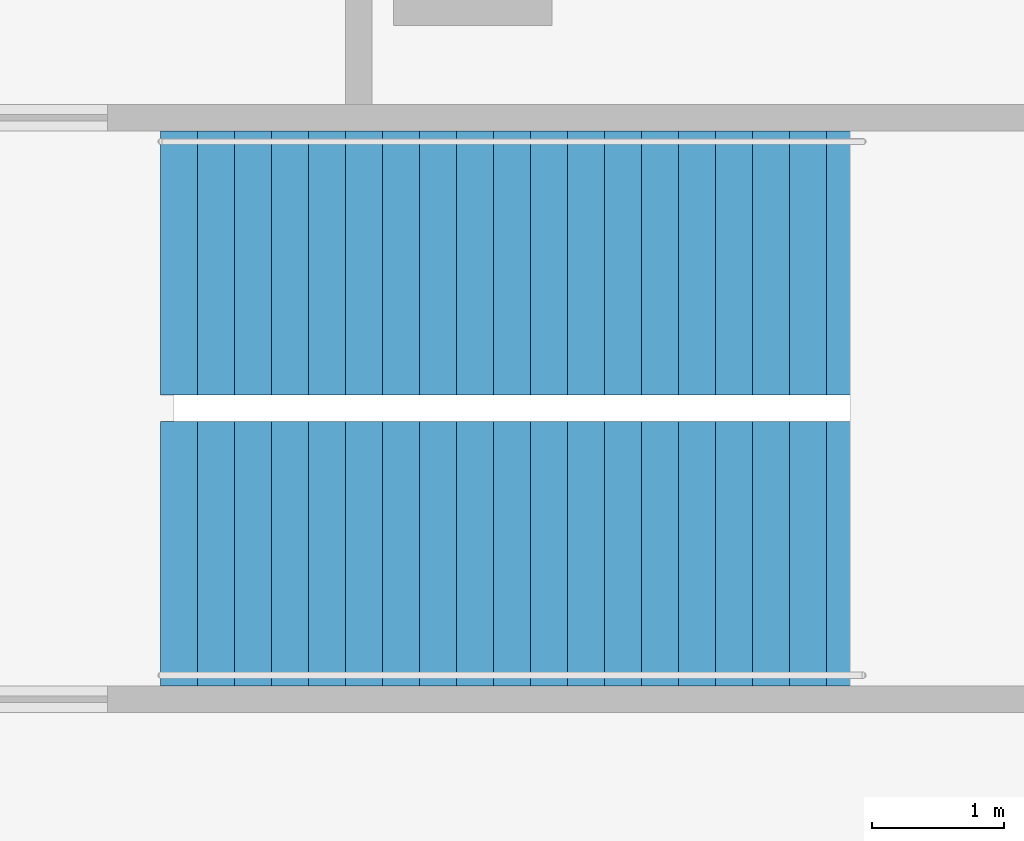
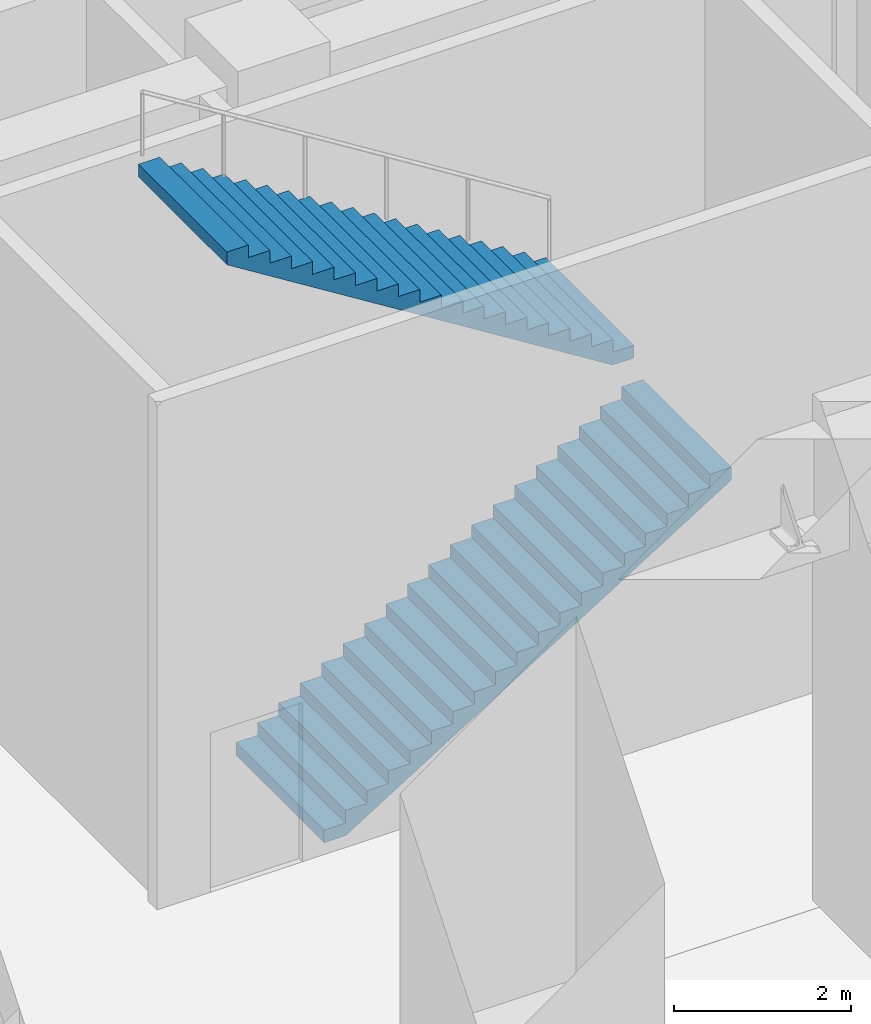
# One storey, part 12 of 23: 2 stair flights, 1 element without a shape of its own.
"""IFC4 building model written with IfcOpenShell, lengths in metres."""

from ifc_helpers import new_model, si_unit, direction, frame, origin, place, context, subcontext, project, spatial, polyline, outline, extrude, material, type_object, element, aggregate, save


model = new_model("IFC4")

# Units and contexts
model_context = context("Model", 3, precision=1e-05, world=origin(), true_north=direction((0.0, 1.0)))
body_context = subcontext(model_context, "Body", "Model", "MODEL_VIEW")
ifc_project = project(units=[si_unit("LENGTHUNIT", "METRE"), si_unit("AREAUNIT", "SQUARE_METRE"), si_unit("VOLUMEUNIT", "CUBIC_METRE"), si_unit("PLANEANGLEUNIT", "RADIAN"), si_unit("MASSUNIT", "GRAM", prefix="KILO")], contexts=[model_context])

# Site, building, storey
site_placement = place(None, origin())
site = spatial("IfcSite", under=ifc_project, at=site_placement, CompositionType="ELEMENT")
building_placement = place(site_placement, origin())
building = spatial("IfcBuilding", under=site, at=building_placement, Name="Tarfa Lantern Tower", CompositionType="ELEMENT")
storey_placement = place(building_placement, origin())
storey = spatial("IfcBuildingStorey", under=building, at=storey_placement, Name="L00", CompositionType="ELEMENT", Elevation=0.0)

# Stair, stair flights
ifc_material = material(Name="Concrete C40/50", Category="concrete")
stair_type = type_object("IfcStairType", Name="ST-T4 HALF-TURN STAIR 7000 RISE", PredefinedType="HALF_TURN_STAIR", material=ifc_material)
stair_placement = place(storey_placement, origin())
stair = element("IfcStair", 1, at=stair_placement, inside=storey, type_object=stair_type, Name="Stair ST3", PredefinedType="HALF_TURN_STAIR")
stair_flight_type = type_object("IfcStairFlightType", Name="SF1 STAIR FLIGHT", PredefinedType="STRAIGHT", material=ifc_material)
stair_flight_1_placement = place(storey_placement, frame((10.800048828125, 38.89990234375, 0.0), z_axis=(0.0, 0.0, 1.0), x_axis=(1.0, 0.0, 0.0)))
stair_flight_1 = element("IfcStairFlight", 2, at=stair_flight_1_placement, type_object=stair_flight_type, Name="ST3 flight 1", NumberOfRisers=20, NumberOfTreads=19, PredefinedType="STRAIGHT", RiserHeight=0.175, TreadLength=0.28, context=body_context, shape_type="SweptSolid", body=[
    extrude(outline(polyline([(0.0, 0.0), (0.0, 0.175048828125), (0.280029296875, 0.175048828125), (0.280029296875, 0.35009765625), (0.56005859375, 0.35009765625), (0.56005859375, 0.52490234375), (0.840087890625, 0.52490234375), (0.840087890625, 0.699951171875), (1.1201171875, 0.699951171875), (1.1201171875, 0.875), (1.39990234375, 0.875), (1.39990234375, 1.050048828125), (1.679931640625, 1.050048828125), (1.679931640625, 1.22509765625), (1.9599609375, 1.22509765625), (1.9599609375, 1.39990234375), (2.239990234375, 1.39990234375), (2.239990234375, 1.574951171875), (2.52001953125, 1.574951171875), (2.52001953125, 1.75), (2.800048828125, 1.75), (2.800048828125, 1.925048828125), (3.080078125, 1.925048828125), (3.080078125, 2.10009765625), (3.360107421875, 2.10009765625), (3.360107421875, 2.27490234375), (3.639892578125, 2.27490234375), (3.639892578125, 2.449951171875), (3.919921875, 2.449951171875), (3.919921875, 2.625), (4.199951171875, 2.625), (4.199951171875, 2.800048828125), (4.47998046875, 2.800048828125), (4.47998046875, 2.97509765625), (4.760009765625, 2.97509765625), (4.760009765625, 3.14990234375), (5.0400390625, 3.14990234375), (5.0400390625, 3.324951171875), (5.320068359375, 3.324951171875), (5.320068359375, 3.5), (5.320068359375, 3.148193359375), (0.28271484375, 0.0), (0.0, 0.0)])), frame((0.0, 1.0, 0.0), z_axis=(0.0, -1.0, 0.0), x_axis=(1.0, 0.0, 0.0)), (0.0, 0.0, 1.0), 2.0),
])
stair_flight_2_placement = place(storey_placement, frame((16.1201171875, 41.10009765625, 3.5), z_axis=(0.0, 0.0, 1.0), x_axis=(-1.0, 0.0, 0.0)))
stair_flight_2 = element("IfcStairFlight", 3, at=stair_flight_2_placement, type_object=stair_flight_type, Name="ST3 flight 2", NumberOfRisers=20, NumberOfTreads=19, PredefinedType="STRAIGHT", RiserHeight=0.175, TreadLength=0.28, context=body_context, shape_type="SweptSolid", body=[
    extrude(outline(polyline([(0.0, 0.0), (0.0, 0.175048828125), (0.280029296875, 0.175048828125), (0.280029296875, 0.35009765625), (0.56005859375, 0.35009765625), (0.56005859375, 0.52490234375), (0.840087890625, 0.52490234375), (0.840087890625, 0.699951171875), (1.1201171875, 0.699951171875), (1.1201171875, 0.875), (1.39990234375, 0.875), (1.39990234375, 1.050048828125), (1.679931640625, 1.050048828125), (1.679931640625, 1.22509765625), (1.9599609375, 1.22509765625), (1.9599609375, 1.39990234375), (2.239990234375, 1.39990234375), (2.239990234375, 1.574951171875), (2.52001953125, 1.574951171875), (2.52001953125, 1.75), (2.800048828125, 1.75), (2.800048828125, 1.925048828125), (3.080078125, 1.925048828125), (3.080078125, 2.10009765625), (3.360107421875, 2.10009765625), (3.360107421875, 2.27490234375), (3.639892578125, 2.27490234375), (3.639892578125, 2.449951171875), (3.919921875, 2.449951171875), (3.919921875, 2.625), (4.199951171875, 2.625), (4.199951171875, 2.800048828125), (4.47998046875, 2.800048828125), (4.47998046875, 2.97509765625), (4.760009765625, 2.97509765625), (4.760009765625, 3.14990234375), (5.0400390625, 3.14990234375), (5.0400390625, 3.324951171875), (5.320068359375, 3.324951171875), (5.320068359375, 3.5), (5.320068359375, 3.148193359375), (0.28271484375, 0.0), (0.0, 0.0)])), frame((0.0, 1.0, 0.0), z_axis=(0.0, -1.0, 0.0), x_axis=(1.0, 0.0, 0.0)), (0.0, 0.0, 1.0), 2.0),
])
aggregate(stair, [stair_flight_1, stair_flight_2])

save(model, "model.ifc")
